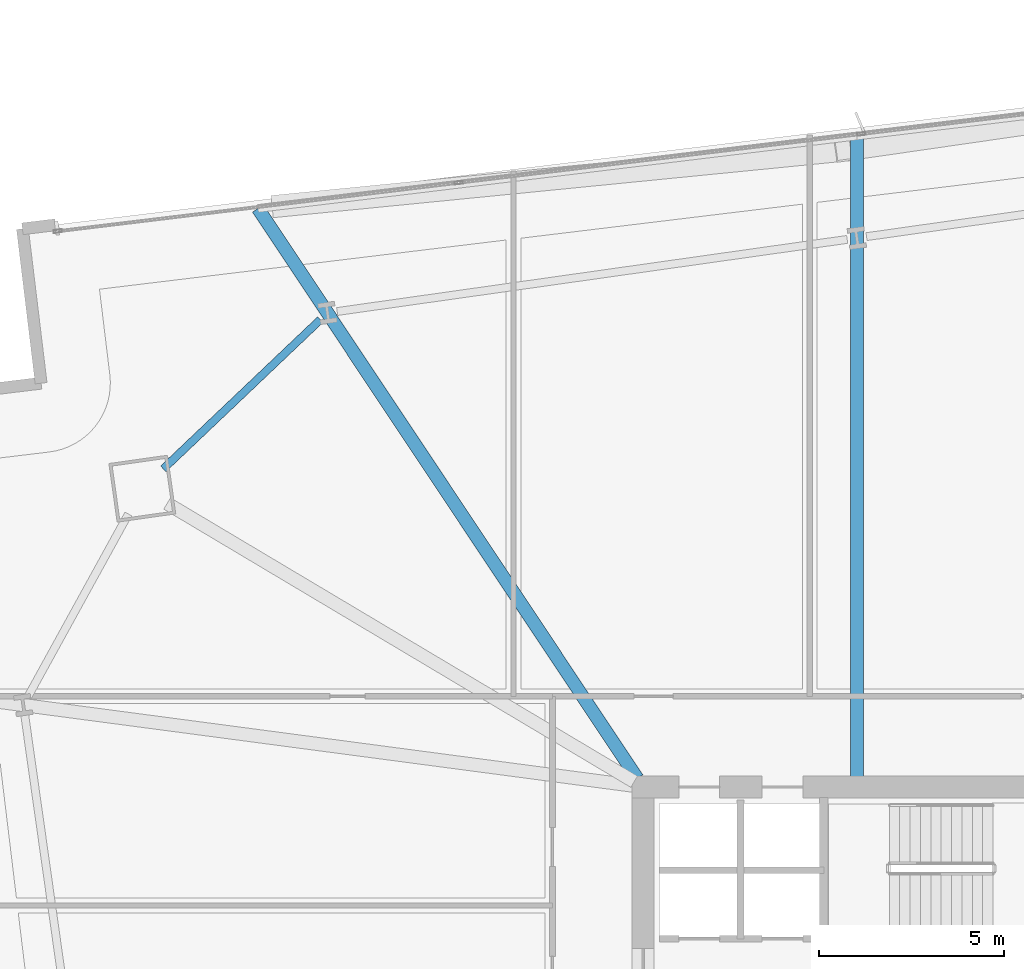
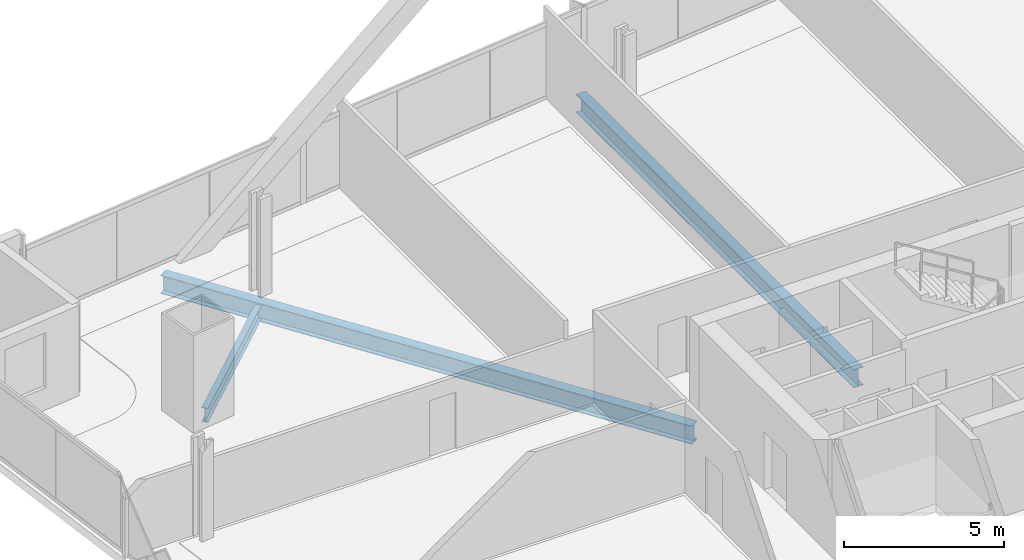
# One storey, part 17 of 33: 3 beams.
"""IFC4 building model written with IfcOpenShell, lengths in metres."""

from ifc_helpers import new_model, si_unit, direction, frame, origin, origin_2d, place, context, subcontext, project, spatial, i_section, extrude, material, material_profile, profile_set, type_object, element, save


model = new_model("IFC4")

# Units and contexts
model_context = context("Model", 3, precision=1e-05, world=origin(), true_north=direction((0.0, 1.0)))
body_context = subcontext(model_context, "Body", "Model", "MODEL_VIEW")
ifc_project = project(units=[si_unit("LENGTHUNIT", "METRE"), si_unit("AREAUNIT", "SQUARE_METRE"), si_unit("VOLUMEUNIT", "CUBIC_METRE"), si_unit("PLANEANGLEUNIT", "RADIAN"), si_unit("MASSUNIT", "GRAM", prefix="KILO")], contexts=[model_context])

# Site, building, storey
site_placement = place(None, origin())
site = spatial("IfcSite", under=ifc_project, at=site_placement, CompositionType="ELEMENT")
building_placement = place(site_placement, origin())
building = spatial("IfcBuilding", under=site, at=building_placement, Name="Haldenkirk Collegiate Tower", CompositionType="ELEMENT")
storey_placement = place(building_placement, frame((0.0, 0.0, 51.449951171875)))
storey = spatial("IfcBuildingStorey", under=building, at=storey_placement, Name="L11", CompositionType="ELEMENT", Elevation=51.449951171875)

# Beams
ifc_material = material(Name="Steel ASTM A992 Grade 50", Category="steel")
ifc_material_profile_1 = material_profile(ifc_material, i_section(OverallWidth=0.35498046875, OverallDepth=0.696044921875, WebThickness=0.015380859375, FlangeThickness=0.02490234375, at=origin_2d()), Name="W27X146")
ifc_profile_set_1 = profile_set([ifc_material_profile_1], Name="Steel ASTM A992 Grade 50")
beam_type_1 = type_object("IfcBeamType", Name="BM-GIRDER-W27X146", PredefinedType="BEAM", material=ifc_profile_set_1)
beam_1_placement = place(storey_placement, frame((32.772216796875, 51.577392578125, -0.657958984375), z_axis=(0.0, -1.0, 0.0), x_axis=(1.0, 0.0, 0.0)))
element("IfcBeam", 1, at=beam_1_placement, inside=storey, type_object=beam_type_1, Name="L11 primary floor girder 12", PredefinedType="BEAM", context=body_context, shape_type="SweptSolid", body=[
    extrude(i_section(OverallWidth=0.35498046875, OverallDepth=0.696044921875, WebThickness=0.015380859375, FlangeThickness=0.02490234375, at=origin_2d()), origin(), (0.0, 0.0, 1.0), 17.29736328125),
])
beam_2_placement = place(storey_placement, frame((16.6015625, 49.62060546875, -0.657958984375), z_axis=(0.55413316166, -0.83242803842, 0.0), x_axis=(0.83242803842, 0.55413316166, 0.0)))
element("IfcBeam", 2, at=beam_2_placement, inside=storey, type_object=beam_type_1, Name="L11 primary floor girder 13", PredefinedType="BEAM", context=body_context, shape_type="SweptSolid", body=[
    extrude(i_section(OverallWidth=0.35498046875, OverallDepth=0.696044921875, WebThickness=0.015380859375, FlangeThickness=0.02490234375, at=origin_2d()), origin(), (0.0, 0.0, 1.0), 18.485107421875),
])
ifc_material_profile_2 = material_profile(ifc_material, i_section(OverallWidth=0.2119140625, OverallDepth=0.5439453125, WebThickness=0.01318359375, FlangeThickness=0.021240234375, at=origin_2d()), Name="W21X83")
ifc_profile_set_2 = profile_set([ifc_material_profile_2], Name="Steel ASTM A992 Grade 50")
beam_type_2 = type_object("IfcBeamType", Name="BM-SPANDREL-W21X83", PredefinedType="SPANDREL", material=ifc_profile_set_2)
beam_3_placement = place(storey_placement, frame((18.28662109375, 46.619140625, -0.58203125), z_axis=(-0.725132817178, -0.688609030911, 0.0), x_axis=(0.688609030911, -0.725132817178, 0.0)))
element("IfcBeam", 3, at=beam_3_placement, inside=storey, type_object=beam_type_2, Name="L11 perimeter spandrel beam 12", PredefinedType="SPANDREL", context=body_context, shape_type="SweptSolid", body=[
    extrude(i_section(OverallWidth=0.2119140625, OverallDepth=0.5439453125, WebThickness=0.01318359375, FlangeThickness=0.021240234375, at=origin_2d()), origin(), (0.0, 0.0, 1.0), 5.848876953125),
])

save(model, "model.ifc")
